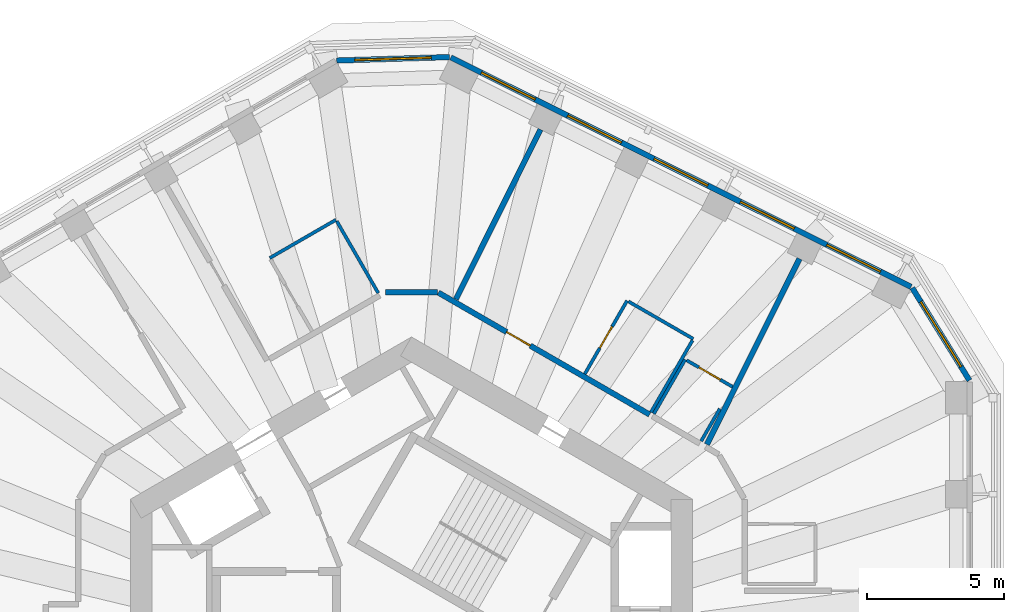
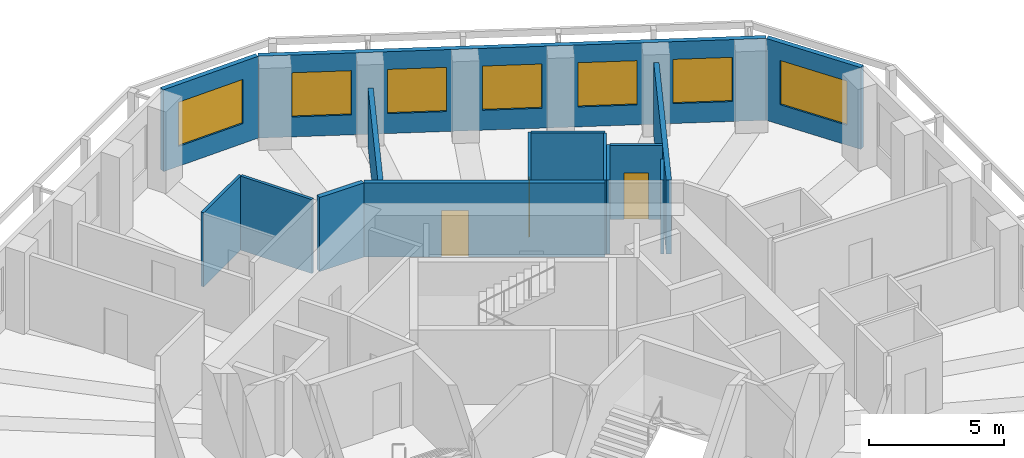
# One storey, part 8 of 11: 15 walls, 7 windows, 3 doors, 10 openings.
"""IFC4 building model written with IfcOpenShell, lengths in metres."""

import ifcopenshell
import ifcopenshell.guid

model = None  # the IFC model being written
_history = None  # IfcOwnerHistory: only IFC2X3 demands one
_inside = {}  # id of a spatial element -> (the spatial element, [elements in it])
_under = {}  # id of a project, library or spatial element -> (it, [spatial elements below it])
_declared = {}  # id of a project -> (the project, [libraries it declares])
_typed = {}  # id of a type object -> (the type object, [elements of that type])
_made_of = {}  # id of a material, layer set ... -> (it, [elements and type objects made of it])


def new_model(schema):
    """Start an empty IFC model of exactly this schema.

    Asked for "IFC4X3", IfcOpenShell would pick the latest addendum, in which some entities
    have other attributes; the version numbers below select the first issue.
    IFC2X3 requires an IfcOwnerHistory on every rooted entity: one is made here for all.
    """
    global model, _history
    if schema == "IFC4X3":
        model = ifcopenshell.file(schema_version=(4, 3, 0, 0))
    else:
        model = ifcopenshell.file(schema=schema)
    _inside.clear()
    _under.clear()
    _declared.clear()
    _typed.clear()
    _made_of.clear()
    _history = None
    if model.schema == "IFC2X3":
        org = make("IfcOrganization", Name="unknown")
        user = make(
            "IfcPersonAndOrganization",
            ThePerson=make("IfcPerson", FamilyName="unknown"),
            TheOrganization=org,
        )
        app = make(
            "IfcApplication",
            ApplicationDeveloper=org,
            Version="unknown",
            ApplicationFullName="unknown",
            ApplicationIdentifier="unknown",
        )
        _history = make(
            "IfcOwnerHistory",
            OwningUser=user,
            OwningApplication=app,
            ChangeAction="ADDED",
            CreationDate=0,
        )
    return model


def make(cls, **values):
    """One entity of the class cls with the attributes given. An attribute that is None is left unset."""
    return model.create_entity(
        cls, **{name: value for name, value in values.items() if value is not None}
    )


def rooted(cls, **values):
    """An entity with a GlobalId (a new one), such as an element, a storey or a relation."""
    return make(cls, GlobalId=ifcopenshell.guid.new(), OwnerHistory=_history, **values)


def si_unit(unit_type, name, prefix=None):
    """IfcSIUnit, for example si_unit("LENGTHUNIT", "METRE", prefix="MILLI")."""
    return make("IfcSIUnit", UnitType=unit_type, Prefix=prefix, Name=name)


def assignment(units):
    """IfcUnitAssignment: the units of a project."""
    return None if units is None else make("IfcUnitAssignment", Units=units)


def point(xyz):
    """IfcCartesianPoint."""
    return None if xyz is None else make("IfcCartesianPoint", Coordinates=xyz)


def direction(xyz):
    """IfcDirection."""
    return None if xyz is None else make("IfcDirection", DirectionRatios=xyz)


def frame(location, z_axis=None, x_axis=None):
    """IfcAxis2Placement3D, a coordinate frame: its origin and axes. An axis left out is left unset."""
    return make(
        "IfcAxis2Placement3D",
        Location=point(location),
        Axis=direction(z_axis),
        RefDirection=direction(x_axis),
    )


def frame_2d(location, x_axis=None):
    """IfcAxis2Placement2D, a coordinate frame in the plane: its origin and x axis."""
    return make(
        "IfcAxis2Placement2D", Location=point(location), RefDirection=direction(x_axis)
    )


def origin():
    """The frame at (0, 0, 0) with its axes left unset."""
    return frame((0.0, 0.0, 0.0))


def place(relative_to, where):
    """IfcLocalPlacement: puts the frame where relative to a parent placement (None: the world)."""
    return make(
        "IfcLocalPlacement", PlacementRelTo=relative_to, RelativePlacement=where
    )


def context(
    kind, dimensions, precision=None, world=None, true_north=None, identifier=None
):
    """IfcGeometricRepresentationContext, for example the 3D "Model" context."""
    return make(
        "IfcGeometricRepresentationContext",
        ContextIdentifier=identifier,
        ContextType=kind,
        CoordinateSpaceDimension=dimensions,
        Precision=precision,
        WorldCoordinateSystem=world,
        TrueNorth=true_north,
    )


def subcontext(parent, identifier, kind, view, scale=None):
    """IfcGeometricRepresentationSubContext, for example "Body" below "Model"."""
    return make(
        "IfcGeometricRepresentationSubContext",
        ContextIdentifier=identifier,
        ContextType=kind,
        ParentContext=parent,
        TargetScale=scale,
        TargetView=view,
    )


def project(units=None, contexts=None):
    """IfcProject with its units and contexts."""
    return rooted(
        "IfcProject",
        Name="project",
        RepresentationContexts=contexts,
        UnitsInContext=assignment(units),
    )


def spatial(cls, under=None, at=None, **own):
    """A site, building, storey or space (cls), placed at a placement, below another one or the project."""
    s = rooted(cls, ObjectPlacement=at, **own)
    if under is not None:
        _under.setdefault(under.id(), (under, []))[1].append(s)
    return s


def profile(cls, at=None, kind="AREA", **sizes):
    """A parametric profile (cls). Its sizes go by their IFC names, for example OverallWidth=200.0."""
    return make(cls, ProfileType=kind, Position=at, **sizes)


def rectangle(**sizes):
    """IfcRectangleProfileDef."""
    return profile("IfcRectangleProfileDef", **sizes)


def extrude(swept, where, along, depth):
    """IfcExtrudedAreaSolid: the profile swept, set in the frame where, extruded along a direction by depth."""
    return make(
        "IfcExtrudedAreaSolid",
        SweptArea=swept,
        Position=where,
        ExtrudedDirection=direction(along),
        Depth=depth,
    )


def shape(context_of_items, identifier, shape_type, items):
    """IfcShapeRepresentation: the items that make up one representation, for example the "Body"."""
    return make(
        "IfcShapeRepresentation",
        ContextOfItems=context_of_items,
        RepresentationIdentifier=identifier,
        RepresentationType=shape_type,
        Items=items,
    )


def material(Name=None, Category=None):
    """IfcMaterial."""
    return make("IfcMaterial", Name=Name, Category=Category)


def layer(
    of_material, thickness, ventilated=None, Name=None, Category=None, Priority=None
):
    """IfcMaterialLayer: one layer of a wall or slab, of a material (None: an air gap)."""
    return make(
        "IfcMaterialLayer",
        Material=of_material,
        LayerThickness=thickness,
        IsVentilated=ventilated,
        Name=Name,
        Category=Category,
        Priority=Priority,
    )


def layer_set(layers, Name=None):
    """IfcMaterialLayerSet."""
    return make("IfcMaterialLayerSet", MaterialLayers=layers, LayerSetName=Name)


def made_of(thing, what):
    """Note that an element or type object is made of a material, layer set ...; save() writes the relation."""
    if what is not None:
        _made_of.setdefault(what.id(), (what, []))[1].append(thing)
    return thing


def type_object(cls, material=None, **own):
    """A type object (cls), such as IfcWallType, which elements share."""
    return made_of(rooted(cls, **own), material)


def element(
    cls,
    number,
    at=None,
    inside=None,
    cuts=None,
    type_object=None,
    material=None,
    context=None,
    identifier="Body",
    shape_type=None,
    held_by="IfcProductDefinitionShape",
    body=None,
    shapes=None,
    **own,
):
    """One element of the class cls, such as IfcWall. Its Tag is "e" and its number.

    at: its placement. inside: the storey or other place that contains it. cuts: it is an
    opening in that element (IfcRelVoidsElement). A single representation is given by context,
    identifier, shape_type and body (its items); several are given by shapes. held_by: the class
    of the entity that holds the representations. save() writes the other relations.
    """
    e = rooted(cls, Tag="e%d" % number, ObjectPlacement=at, **own)
    if body is not None:
        shapes = [shape(context, identifier, shape_type, body)]
    if shapes is not None:
        e.Representation = make(held_by, Representations=shapes)
    if inside is not None:
        _inside.setdefault(inside.id(), (inside, []))[1].append(e)
    if cuts is not None:
        rooted(
            "IfcRelVoidsElement", RelatingBuildingElement=cuts, RelatedOpeningElement=e
        )
    if type_object is not None:
        _typed.setdefault(type_object.id(), (type_object, []))[1].append(e)
    return made_of(e, material)


def fill(opening, filler):
    """IfcRelFillsElement: the door or window that sits in an opening."""
    return rooted(
        "IfcRelFillsElement",
        RelatingOpeningElement=opening,
        RelatedBuildingElement=filler,
    )


def aggregate(whole, parts):
    """IfcRelAggregates: a whole, such as a stair, and the parts it consists of."""
    return rooted("IfcRelAggregates", RelatingObject=whole, RelatedObjects=parts)


def save(model, path):
    """Write the relations noted so far, then the file.

    IfcRelAggregates (storeys below a building ...), IfcRelContainedInSpatialStructure (elements
    in a storey), IfcRelDefinesByType, IfcRelAssociatesMaterial and IfcRelDeclares: one each for
    every whole, place, type object, material and project.
    """
    for whole, parts in _under.values():
        aggregate(whole, parts)
    for where, things in _inside.values():
        rooted(
            "IfcRelContainedInSpatialStructure",
            RelatedElements=things,
            RelatingStructure=where,
        )
    for kind, things in _typed.values():
        rooted("IfcRelDefinesByType", RelatedObjects=things, RelatingType=kind)
    for what, things in _made_of.values():
        rooted("IfcRelAssociatesMaterial", RelatedObjects=things, RelatingMaterial=what)
    for by, libraries in _declared.values():
        rooted("IfcRelDeclares", RelatingContext=by, RelatedDefinitions=libraries)
    model.write(path)


model = new_model("IFC4")

# Units and contexts
model_context = context("Model", 3, precision=1e-05, world=origin(), true_north=direction((0.0, 1.0)))
body_context = subcontext(model_context, "Body", "Model", "MODEL_VIEW")
ifc_project = project(units=[si_unit("LENGTHUNIT", "METRE"), si_unit("AREAUNIT", "SQUARE_METRE"), si_unit("VOLUMEUNIT", "CUBIC_METRE"), si_unit("PLANEANGLEUNIT", "RADIAN"), si_unit("MASSUNIT", "GRAM", prefix="KILO")], contexts=[model_context])

# Site, building, storey
site_placement = place(None, origin())
site = spatial("IfcSite", under=ifc_project, at=site_placement, CompositionType="ELEMENT")
building_placement = place(site_placement, origin())
building = spatial("IfcBuilding", under=site, at=building_placement, Name="Vanh Sen Convention Tower", CompositionType="ELEMENT")
storey_placement = place(building_placement, frame((0.0, 0.0, 210.60009765625)))
storey = spatial("IfcBuildingStorey", under=building, at=storey_placement, Name="L52", CompositionType="ELEMENT", Elevation=210.60009765625)

# Walls
ifc_material_1 = material(Name="Moisture-resistant gypsum board on steel studs", Category="steel")
ifc_layer_1 = layer(ifc_material_1, 0.1201171875)
ifc_layer_set_1 = layer_set([ifc_layer_1], Name="Moisture-resistant gypsum board on steel studs")
wall_type_1 = type_object("IfcWallType", Name="Bathroom partition 120", PredefinedType="PARTITIONING", material=ifc_layer_set_1)
wall_1_placement = place(storey_placement, frame((-5.19140625, 14.78515625, 0.0), z_axis=(0.0, 0.0, 1.0), x_axis=(0.866034573852, 0.49998411664, 0.0)))
element("IfcWall", 1, at=wall_1_placement, inside=storey, type_object=wall_type_1, Name="Bathroom partition 120", PredefinedType="PARTITIONING", context=body_context, shape_type="SweptSolid", body=[
    extrude(rectangle(XDim=2.7998046875, YDim=0.1201171875, at=frame_2d((1.39990234375, 0.0))), origin(), (0.0, 0.0, 1.0), 3.349853515625),
])
wall_2_placement = place(storey_placement, frame((-2.736572265625, 16.133056640625, 0.0), z_axis=(0.0, 0.0, 1.0), x_axis=(0.500026023896, -0.86601037836, 0.0)))
element("IfcWall", 2, at=wall_2_placement, inside=storey, type_object=wall_type_1, Name="Bathroom partition 120", PredefinedType="PARTITIONING", context=body_context, shape_type="SweptSolid", body=[
    extrude(rectangle(XDim=3.039794921875, YDim=0.1201171875, at=frame_2d((1.52001953125, 0.0))), origin(), (0.0, 0.0, 1.0), 3.349853515625),
])

# Wall, opening, door
wall_3_placement = place(storey_placement, frame((6.3466796875, 10.53857421875, 0.0), z_axis=(0.0, 0.0, 1.0), x_axis=(0.499933790963, 0.866063626216, 0.0)))
wall_3 = element("IfcWall", 3, at=wall_3_placement, inside=storey, type_object=wall_type_1, Name="Bathroom partition 120", PredefinedType="PARTITIONING", context=body_context, shape_type="SweptSolid", body=[
    extrude(rectangle(XDim=3.10009765625, YDim=0.1201171875, at=frame_2d((1.550048828125, 0.0))), origin(), (0.0, 0.0, 1.0), 3.349853515625),
])
opening_1_placement = place(wall_3_placement, frame((1.10009765625, 0.0, 0.0)))
opening_1 = element("IfcOpeningElement", 4, at=opening_1_placement, cuts=wall_3, Name="Opening D52105", PredefinedType="OPENING", context=body_context, shape_type="SweptSolid", body=[
    extrude(rectangle(XDim=0.89990234375, YDim=2.10009765625, at=frame_2d((0.449951171875, 1.050048828125))), frame((0.0, 0.070068359375, 0.0), z_axis=(0.0, -1.0, 0.0), x_axis=(1.0, 0.0, 0.0)), (0.0, 0.0, 1.0), 0.14013671875),
])
ifc_material_2 = material(Name="Laminate door in steel frame", Category="steel")
door_type_1 = type_object("IfcDoorType", Name="Room internal door 900", OperationType="SINGLE_SWING_LEFT", PredefinedType="DOOR", material=ifc_material_2)
door_1_placement = place(opening_1_placement, origin())
door_1 = element("IfcDoor", 5, at=door_1_placement, inside=storey, type_object=door_type_1, Name="Internal room door D52105", OperationType="SINGLE_SWING_LEFT", OverallHeight=2.10009765625, OverallWidth=0.89990234375, PredefinedType="DOOR", context=body_context, shape_type="SweptSolid", body=[
    extrude(rectangle(XDim=0.89990234375, YDim=2.10009765625, at=frame_2d((0.449951171875, 1.050048828125))), frame((0.0, 0.02490234375, 0.0), z_axis=(0.0, -1.0, 0.0), x_axis=(1.0, 0.0, 0.0)), (0.0, 0.0, 1.0), 0.050048828125),
])
fill(opening_1, door_1)

# Walls
wall_4_placement = place(storey_placement, frame((7.948486328125, 13.193359375, 0.0), z_axis=(0.0, 0.0, 1.0), x_axis=(0.866019409031, -0.500010383074, 0.0)))
element("IfcWall", 6, at=wall_4_placement, inside=storey, type_object=wall_type_1, Name="Bathroom partition 120", PredefinedType="PARTITIONING", context=body_context, shape_type="SweptSolid", body=[
    extrude(rectangle(XDim=2.740234375, YDim=0.1201171875, at=frame_2d((1.3701171875, 0.0))), origin(), (0.0, 0.0, 1.0), 3.349853515625),
])
wall_5_placement = place(storey_placement, frame((8.87548828125, 9.07861328125, 0.0), z_axis=(0.0, 0.0, 1.0), x_axis=(0.499998129301, 0.86602648383, 0.0)))
element("IfcWall", 7, at=wall_5_placement, inside=storey, type_object=wall_type_1, Name="Bathroom partition 120", PredefinedType="PARTITIONING", context=body_context, shape_type="SweptSolid", body=[
    extrude(rectangle(XDim=2.2998046875, YDim=0.1201171875, at=frame_2d((1.14990234375, 0.0))), origin(), (0.0, 0.0, 1.0), 3.349853515625),
])

# Wall, opening, door
wall_6_placement = place(storey_placement, frame((10.077392578125, 11.040283203125, 0.0), z_axis=(0.0, 0.0, 1.0), x_axis=(0.866043088465, -0.499969367985, 0.0)))
wall_6 = element("IfcWall", 8, at=wall_6_placement, inside=storey, type_object=wall_type_1, Name="Bathroom partition 120", PredefinedType="PARTITIONING", context=body_context, shape_type="SweptSolid", body=[
    extrude(rectangle(XDim=1.93994140625, YDim=0.1201171875, at=frame_2d((0.969970703125, 0.0))), origin(), (0.0, 0.0, 1.0), 3.349853515625),
])
opening_2_placement = place(wall_6_placement, frame((0.52001953125, 0.0, 0.0)))
opening_2 = element("IfcOpeningElement", 9, at=opening_2_placement, cuts=wall_6, Name="Opening D52104", PredefinedType="OPENING", context=body_context, shape_type="SweptSolid", body=[
    extrude(rectangle(XDim=0.89990234375, YDim=2.10009765625, at=frame_2d((0.449951171875, 1.050048828125))), frame((0.0, 0.070068359375, 0.0), z_axis=(0.0, -1.0, 0.0), x_axis=(1.0, 0.0, 0.0)), (0.0, 0.0, 1.0), 0.14013671875),
])
door_2_placement = place(opening_2_placement, origin())
door_2 = element("IfcDoor", 10, at=door_2_placement, inside=storey, type_object=door_type_1, Name="Internal room door D52104", OperationType="SINGLE_SWING_LEFT", OverallHeight=2.10009765625, OverallWidth=0.89990234375, PredefinedType="DOOR", context=body_context, shape_type="SweptSolid", body=[
    extrude(rectangle(XDim=0.89990234375, YDim=2.10009765625, at=frame_2d((0.449951171875, 1.050048828125))), frame((0.0, 0.02490234375, 0.0), z_axis=(0.0, -1.0, 0.0), x_axis=(1.0, 0.0, 0.0)), (0.0, 0.0, 1.0), 0.050048828125),
])
fill(opening_2, door_2)

# Walls
wall_7_placement = place(storey_placement, frame((10.29150390625, 11.771240234375, 0.0), z_axis=(0.0, 0.0, 1.0), x_axis=(-0.500026023896, -0.86601037836, 0.0)))
element("IfcWall", 11, at=wall_7_placement, inside=storey, type_object=wall_type_1, Name="Bathroom partition 120", PredefinedType="PARTITIONING", context=body_context, shape_type="SweptSolid", body=[
    extrude(rectangle(XDim=3.039794921875, YDim=0.1201171875, at=frame_2d((1.52001953125, 0.0))), origin(), (0.0, 0.0, 1.0), 3.349853515625),
])
wall_8_placement = place(storey_placement, frame((11.291259765625, 9.262939453125, 0.0), z_axis=(0.0, 0.0, 1.0), x_axis=(-0.500036664704, -0.866004234373, 0.0)))
element("IfcWall", 12, at=wall_8_placement, inside=storey, type_object=wall_type_1, Name="Bathroom partition 120", PredefinedType="PARTITIONING", context=body_context, shape_type="SweptSolid", body=[
    extrude(rectangle(XDim=1.36767578125, YDim=0.1201171875, at=frame_2d((0.683837890625, 0.0))), origin(), (0.0, 0.0, 1.0), 3.349853515625),
])
ifc_material_3 = material(Name="Gypsum board on steel studs with mineral wool", Category="steel")
ifc_layer_2 = layer(ifc_material_3, 0.199951171875)
ifc_layer_set_2 = layer_set([ifc_layer_2], Name="Gypsum board on steel studs with mineral wool")
wall_type_2 = type_object("IfcWallType", Name="Corridor partition wall 200", PredefinedType="PARTITIONING", material=ifc_layer_set_2)
wall_9_placement = place(storey_placement, frame((0.949951171875, 13.538818359375, 0.0), z_axis=(0.0, 0.0, 1.0), x_axis=(-1.0, 0.0, 0.0)))
element("IfcWall", 13, at=wall_9_placement, inside=storey, type_object=wall_type_2, Name="Corridor partition wall 200", PredefinedType="PARTITIONING", context=body_context, shape_type="SweptSolid", body=[
    extrude(rectangle(XDim=1.89990234375, YDim=0.199951171875, at=frame_2d((0.949951171875, 0.0))), origin(), (0.0, 0.0, 1.0), 3.349853515625),
])

# Wall, opening, door
wall_10_placement = place(storey_placement, frame((8.721435546875, 9.052001953125, 0.0), z_axis=(0.0, 0.0, 1.0), x_axis=(-0.866028125821, 0.499995285264, 0.0)))
wall_10 = element("IfcWall", 14, at=wall_10_placement, inside=storey, type_object=wall_type_2, Name="Corridor partition wall 200", PredefinedType="PARTITIONING", context=body_context, shape_type="SweptSolid", body=[
    extrude(rectangle(XDim=8.93359375, YDim=0.199951171875, at=frame_2d((4.466796875, 0.0))), origin(), (0.0, 0.0, 1.0), 3.349853515625),
])
opening_3_placement = place(wall_10_placement, frame((5.05029296875, 0.0, 0.0)))
opening_3 = element("IfcOpeningElement", 15, at=opening_3_placement, cuts=wall_10, Name="Opening D52103", PredefinedType="OPENING", context=body_context, shape_type="SweptSolid", body=[
    extrude(rectangle(XDim=1.0, YDim=2.10009765625, at=frame_2d((0.5, 1.050048828125))), frame((0.0, 0.10986328125, 0.0), z_axis=(0.0, -1.0, 0.0), x_axis=(1.0, 0.0, 0.0)), (0.0, 0.0, 1.0), 0.219970703125),
])
ifc_material_4 = material(Name="Glazed fire door in steel frame", Category="steel")
door_type_2 = type_object("IfcDoorType", Name="Tenant entrance door 1000", OperationType="SINGLE_SWING_LEFT", PredefinedType="DOOR", material=ifc_material_4)
door_3_placement = place(opening_3_placement, origin())
door_3 = element("IfcDoor", 16, at=door_3_placement, inside=storey, type_object=door_type_2, Name="Tenant suite entrance door D52103", OperationType="SINGLE_SWING_LEFT", OverallHeight=2.10009765625, OverallWidth=1.0, PredefinedType="DOOR", context=body_context, shape_type="SweptSolid", body=[
    extrude(rectangle(XDim=1.0, YDim=2.10009765625, at=frame_2d((0.5, 1.050048828125))), frame((0.0, 0.02490234375, 0.0), z_axis=(0.0, -1.0, 0.0), x_axis=(1.0, 0.0, 0.0)), (0.0, 0.0, 1.0), 0.050048828125),
])
fill(opening_3, door_3)

# Wall, opening, window
ifc_material_5 = material(Name="Insulated lightweight infill wall")
ifc_layer_3 = layer(ifc_material_5, 0.199951171875)
ifc_layer_set_3 = layer_set([ifc_layer_3], Name="Insulated lightweight infill wall")
wall_type_3 = type_object("IfcWallType", Name="External wall 200", PredefinedType="STANDARD", material=ifc_layer_set_3)
wall_11_placement = place(storey_placement, frame((20.43505859375, 10.3037109375, 0.0), z_axis=(0.0, 0.0, 1.0), x_axis=(-0.526202661606, 0.850359194058, 0.0)))
wall_11 = element("IfcWall", 17, at=wall_11_placement, inside=storey, type_object=wall_type_3, Name="External wall CH1 L52", PredefinedType="STANDARD", context=body_context, shape_type="SweptSolid", body=[
    extrude(rectangle(XDim=3.982666015625, YDim=0.199951171875, at=frame_2d((1.9912109375, 0.0))), origin(), (0.0, 0.0, 1.0), 3.699951171875),
])
opening_4_placement = place(wall_11_placement, frame((0.59130859375, 0.0, 0.89990234375)))
opening_4 = element("IfcOpeningElement", 18, at=opening_4_placement, cuts=wall_11, Name="Opening WO4-CH11", PredefinedType="OPENING", context=body_context, shape_type="SweptSolid", body=[
    extrude(rectangle(XDim=2.800048828125, YDim=2.0, at=frame_2d((1.39990234375, 1.0))), frame((0.0, 0.10986328125, 0.0), z_axis=(0.0, -1.0, 0.0), x_axis=(1.0, 0.0, 0.0)), (0.0, 0.0, 1.0), 0.219970703125),
])
ifc_material_6 = material(Name="Aluminium frame with clear low-emissivity glass", Category="aluminium")
window_type_1 = type_object("IfcWindowType", Name="Office window 2800 x 2000", PartitioningType="SINGLE_PANEL", PredefinedType="WINDOW", material=ifc_material_6)
window_1_placement = place(opening_4_placement, origin())
window_1 = element("IfcWindow", 19, at=window_1_placement, inside=storey, type_object=window_type_1, Name="Window WO4-CH11", OverallHeight=2.0, OverallWidth=2.800048828125, PartitioningType="SINGLE_PANEL", PredefinedType="WINDOW", context=body_context, shape_type="SweptSolid", body=[
    extrude(rectangle(XDim=2.800048828125, YDim=2.0, at=frame_2d((1.39990234375, 1.0))), frame((0.0, 0.030029296875, 0.0), z_axis=(0.0, -1.0, 0.0), x_axis=(1.0, 0.0, 0.0)), (0.0, 0.0, 1.0), 0.06005859375),
])
fill(opening_4, window_1)

# Wall, openings, windows
wall_12_placement = place(storey_placement, frame((18.298828125, 13.727294921875, 0.0), z_axis=(0.0, 0.0, 1.0), x_axis=(-0.894934554817, 0.44619742558, 0.0)))
wall_12 = element("IfcWall", 20, at=wall_12_placement, inside=storey, type_object=wall_type_3, Name="External wall NE L52", PredefinedType="STANDARD", context=body_context, shape_type="SweptSolid", body=[
    extrude(rectangle(XDim=18.84130859375, YDim=0.199951171875, at=frame_2d((9.420654296875, 0.0))), origin(), (0.0, 0.0, 1.0), 3.699951171875),
])
opening_5_placement = place(wall_12_placement, frame((1.252685546875, 0.0, 0.89990234375)))
opening_5 = element("IfcOpeningElement", 21, at=opening_5_placement, cuts=wall_12, Name="Opening WO3-NE1", PredefinedType="OPENING", context=body_context, shape_type="SweptSolid", body=[
    extrude(rectangle(XDim=2.199951171875, YDim=2.0, at=frame_2d((1.10009765625, 1.0))), frame((0.0, 0.10986328125, 0.0), z_axis=(0.0, -1.0, 0.0), x_axis=(1.0, 0.0, 0.0)), (0.0, 0.0, 1.0), 0.219970703125),
])
opening_6_placement = place(wall_12_placement, frame((4.7861328125, 0.0, 0.89990234375)))
opening_6 = element("IfcOpeningElement", 22, at=opening_6_placement, cuts=wall_12, Name="Opening WO3-NE2", PredefinedType="OPENING", context=body_context, shape_type="SweptSolid", body=[
    extrude(rectangle(XDim=2.199951171875, YDim=2.0, at=frame_2d((1.10009765625, 1.0))), frame((0.0, 0.10986328125, 0.0), z_axis=(0.0, -1.0, 0.0), x_axis=(1.0, 0.0, 0.0)), (0.0, 0.0, 1.0), 0.219970703125),
])
opening_7_placement = place(wall_12_placement, frame((8.31982421875, 0.0, 0.89990234375)))
opening_7 = element("IfcOpeningElement", 23, at=opening_7_placement, cuts=wall_12, Name="Opening WO3-NE3", PredefinedType="OPENING", context=body_context, shape_type="SweptSolid", body=[
    extrude(rectangle(XDim=2.199951171875, YDim=2.0, at=frame_2d((1.10009765625, 1.0))), frame((0.0, 0.10986328125, 0.0), z_axis=(0.0, -1.0, 0.0), x_axis=(1.0, 0.0, 0.0)), (0.0, 0.0, 1.0), 0.219970703125),
])
opening_8_placement = place(wall_12_placement, frame((11.853515625, 0.0, 0.89990234375)))
opening_8 = element("IfcOpeningElement", 24, at=opening_8_placement, cuts=wall_12, Name="Opening WO3-NE4", PredefinedType="OPENING", context=body_context, shape_type="SweptSolid", body=[
    extrude(rectangle(XDim=2.199951171875, YDim=2.0, at=frame_2d((1.10009765625, 1.0))), frame((0.0, 0.10986328125, 0.0), z_axis=(0.0, -1.0, 0.0), x_axis=(1.0, 0.0, 0.0)), (0.0, 0.0, 1.0), 0.219970703125),
])
opening_9_placement = place(wall_12_placement, frame((15.38720703125, 0.0, 0.89990234375)))
opening_9 = element("IfcOpeningElement", 25, at=opening_9_placement, cuts=wall_12, Name="Opening WO3-NE5", PredefinedType="OPENING", context=body_context, shape_type="SweptSolid", body=[
    extrude(rectangle(XDim=2.199951171875, YDim=2.0, at=frame_2d((1.10009765625, 1.0))), frame((0.0, 0.10986328125, 0.0), z_axis=(0.0, -1.0, 0.0), x_axis=(1.0, 0.0, 0.0)), (0.0, 0.0, 1.0), 0.219970703125),
])
window_type_2 = type_object("IfcWindowType", Name="Office window 2200 x 2000", PartitioningType="SINGLE_PANEL", PredefinedType="WINDOW", material=ifc_material_6)
window_2_placement = place(opening_5_placement, origin())
window_2 = element("IfcWindow", 26, at=window_2_placement, inside=storey, type_object=window_type_2, Name="Window WO3-NE1", OverallHeight=2.0, OverallWidth=2.199951171875, PartitioningType="SINGLE_PANEL", PredefinedType="WINDOW", context=body_context, shape_type="SweptSolid", body=[
    extrude(rectangle(XDim=2.199951171875, YDim=2.0, at=frame_2d((1.10009765625, 1.0))), frame((0.0, 0.030029296875, 0.0), z_axis=(0.0, -1.0, 0.0), x_axis=(1.0, 0.0, 0.0)), (0.0, 0.0, 1.0), 0.06005859375),
])
fill(opening_5, window_2)
window_3_placement = place(opening_6_placement, origin())
window_3 = element("IfcWindow", 27, at=window_3_placement, inside=storey, type_object=window_type_2, Name="Window WO3-NE2", OverallHeight=2.0, OverallWidth=2.199951171875, PartitioningType="SINGLE_PANEL", PredefinedType="WINDOW", context=body_context, shape_type="SweptSolid", body=[
    extrude(rectangle(XDim=2.199951171875, YDim=2.0, at=frame_2d((1.10009765625, 1.0))), frame((0.0, 0.030029296875, 0.0), z_axis=(0.0, -1.0, 0.0), x_axis=(1.0, 0.0, 0.0)), (0.0, 0.0, 1.0), 0.06005859375),
])
fill(opening_6, window_3)
window_4_placement = place(opening_7_placement, origin())
window_4 = element("IfcWindow", 28, at=window_4_placement, inside=storey, type_object=window_type_2, Name="Window WO3-NE3", OverallHeight=2.0, OverallWidth=2.199951171875, PartitioningType="SINGLE_PANEL", PredefinedType="WINDOW", context=body_context, shape_type="SweptSolid", body=[
    extrude(rectangle(XDim=2.199951171875, YDim=2.0, at=frame_2d((1.10009765625, 1.0))), frame((0.0, 0.030029296875, 0.0), z_axis=(0.0, -1.0, 0.0), x_axis=(1.0, 0.0, 0.0)), (0.0, 0.0, 1.0), 0.06005859375),
])
fill(opening_7, window_4)
window_5_placement = place(opening_8_placement, origin())
window_5 = element("IfcWindow", 29, at=window_5_placement, inside=storey, type_object=window_type_2, Name="Window WO3-NE4", OverallHeight=2.0, OverallWidth=2.199951171875, PartitioningType="SINGLE_PANEL", PredefinedType="WINDOW", context=body_context, shape_type="SweptSolid", body=[
    extrude(rectangle(XDim=2.199951171875, YDim=2.0, at=frame_2d((1.10009765625, 1.0))), frame((0.0, 0.030029296875, 0.0), z_axis=(0.0, -1.0, 0.0), x_axis=(1.0, 0.0, 0.0)), (0.0, 0.0, 1.0), 0.06005859375),
])
fill(opening_8, window_5)
window_6_placement = place(opening_9_placement, origin())
window_6 = element("IfcWindow", 30, at=window_6_placement, inside=storey, type_object=window_type_2, Name="Window WO3-NE5", OverallHeight=2.0, OverallWidth=2.199951171875, PartitioningType="SINGLE_PANEL", PredefinedType="WINDOW", context=body_context, shape_type="SweptSolid", body=[
    extrude(rectangle(XDim=2.199951171875, YDim=2.0, at=frame_2d((1.10009765625, 1.0))), frame((0.0, 0.030029296875, 0.0), z_axis=(0.0, -1.0, 0.0), x_axis=(1.0, 0.0, 0.0)), (0.0, 0.0, 1.0), 0.06005859375),
])
fill(opening_9, window_6)

# Wall, opening, window
wall_13_placement = place(storey_placement, frame((1.389404296875, 22.144775390625, 0.0), z_axis=(0.0, 0.0, 1.0), x_axis=(-0.999534702881, -0.030502093955, 0.0)))
wall_13 = element("IfcWall", 31, at=wall_13_placement, inside=storey, type_object=wall_type_3, Name="External wall CH2 L52", PredefinedType="STANDARD", context=body_context, shape_type="SweptSolid", body=[
    extrude(rectangle(XDim=4.130126953125, YDim=0.199951171875, at=frame_2d((2.06494140625, 0.0))), origin(), (0.0, 0.0, 1.0), 3.699951171875),
])
opening_10_placement = place(wall_13_placement, frame((0.6650390625, 0.0, 0.89990234375)))
opening_10 = element("IfcOpeningElement", 32, at=opening_10_placement, cuts=wall_13, Name="Opening WO4-CH21", PredefinedType="OPENING", context=body_context, shape_type="SweptSolid", body=[
    extrude(rectangle(XDim=2.800048828125, YDim=2.0, at=frame_2d((1.39990234375, 1.0))), frame((0.0, 0.10986328125, 0.0), z_axis=(0.0, -1.0, 0.0), x_axis=(1.0, 0.0, 0.0)), (0.0, 0.0, 1.0), 0.219970703125),
])
window_7_placement = place(opening_10_placement, origin())
window_7 = element("IfcWindow", 33, at=window_7_placement, inside=storey, type_object=window_type_1, Name="Window WO4-CH21", OverallHeight=2.0, OverallWidth=2.800048828125, PartitioningType="SINGLE_PANEL", PredefinedType="WINDOW", context=body_context, shape_type="SweptSolid", body=[
    extrude(rectangle(XDim=2.800048828125, YDim=2.0, at=frame_2d((1.39990234375, 1.0))), frame((0.0, 0.030029296875, 0.0), z_axis=(0.0, -1.0, 0.0), x_axis=(1.0, 0.0, 0.0)), (0.0, 0.0, 1.0), 0.06005859375),
])
fill(opening_10, window_7)

# Walls
ifc_layer_4 = layer(ifc_material_3, 0.199951171875)
ifc_layer_set_4 = layer_set([ifc_layer_4], Name="Gypsum board on steel studs with mineral wool")
wall_type_4 = type_object("IfcWallType", Name="Tenant suite wall 200", PredefinedType="PARTITIONING", material=ifc_layer_set_4)
wall_14_placement = place(storey_placement, frame((4.723388671875, 19.489990234375, 0.0), z_axis=(0.0, 0.0, 1.0), x_axis=(-0.446186614574, -0.894939944898, 0.0)))
element("IfcWall", 34, at=wall_14_placement, inside=storey, type_object=wall_type_4, Name="Tenant suite wall 200", PredefinedType="PARTITIONING", context=body_context, shape_type="SweptSolid", body=[
    extrude(rectangle(XDim=6.943603515625, YDim=0.199951171875, at=frame_2d((3.4716796875, 0.0))), origin(), (0.0, 0.0, 1.0), 2.64990234375),
])
wall_15_placement = place(storey_placement, frame((14.210693359375, 14.760009765625, 0.0), z_axis=(0.0, 0.0, 1.0), x_axis=(-0.446198490295, -0.89493402397, 0.0)))
element("IfcWall", 35, at=wall_15_placement, inside=storey, type_object=wall_type_4, Name="Tenant suite wall 200", PredefinedType="PARTITIONING", context=body_context, shape_type="SweptSolid", body=[
    extrude(rectangle(XDim=7.602294921875, YDim=0.199951171875, at=frame_2d((3.80126953125, 0.0))), origin(), (0.0, 0.0, 1.0), 3.349853515625),
])

save(model, "model.ifc")
